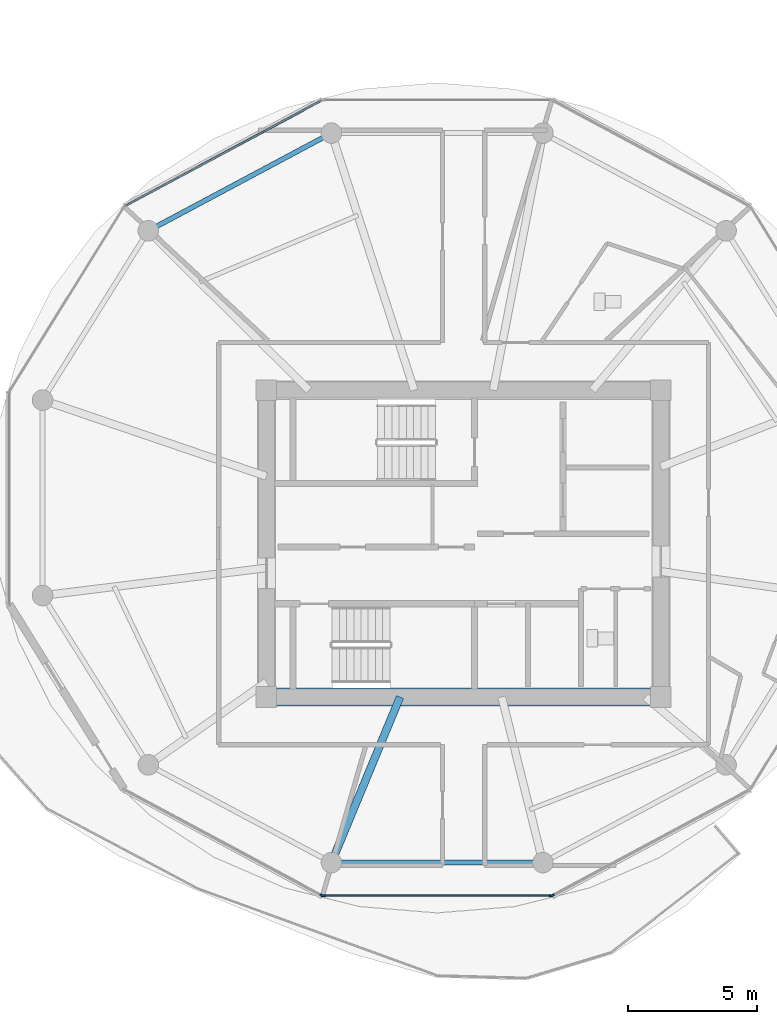
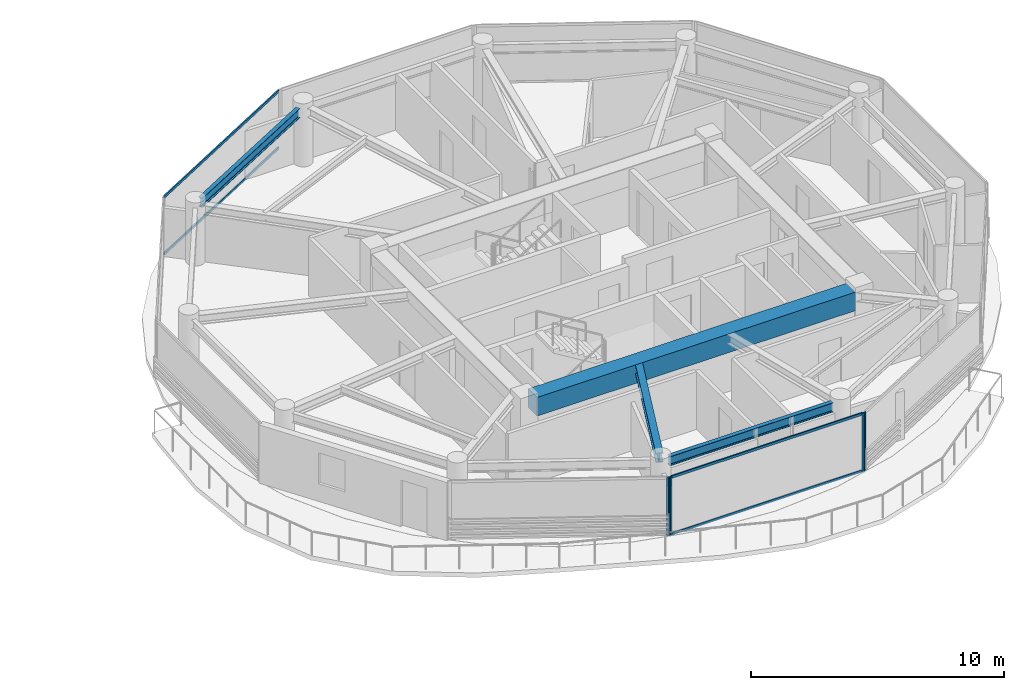
# One storey, part 8 of 21: 8 members, 4 beams, 4 elements without a shape of their own.
"""IFC4 building model written with IfcOpenShell, lengths in metres."""

from ifc_helpers import new_model, si_unit, direction, frame, origin, origin_2d, place, context, subcontext, project, spatial, rectangle, i_section, extrude, source, transform, mapped, material, layer, layer_set, material_profile, profile_set, type_object, type_shapes, element, aggregate, save


model = new_model("IFC4")

# Units and contexts
model_context = context("Model", 3, precision=1e-05, world=origin(), true_north=direction((0.0, 1.0)))
body_context = subcontext(model_context, "Body", "Model", "MODEL_VIEW")
ifc_project = project(units=[si_unit("LENGTHUNIT", "METRE"), si_unit("AREAUNIT", "SQUARE_METRE"), si_unit("VOLUMEUNIT", "CUBIC_METRE"), si_unit("PLANEANGLEUNIT", "RADIAN"), si_unit("MASSUNIT", "GRAM", prefix="KILO")], contexts=[model_context])

# Site, building, storey
site_placement = place(None, origin())
site = spatial("IfcSite", under=ifc_project, at=site_placement, CompositionType="ELEMENT")
building_placement = place(site_placement, origin())
building = spatial("IfcBuilding", under=site, at=building_placement, Name="Norrkilde Senior Care Towers", CompositionType="ELEMENT")
storey_placement = place(building_placement, frame((0.0, 0.0, 146.5)))
storey = spatial("IfcBuildingStorey", under=building, at=storey_placement, Name="L45", CompositionType="ELEMENT", Elevation=146.5)

# Beams
ifc_material_1 = material(Name="Concrete C60/75", Category="concrete")
ifc_material_profile_1 = material_profile(ifc_material_1, rectangle(XDim=0.699951171875, YDim=0.89990234375, at=origin_2d()), Name="RC BM 700x900")
ifc_profile_set_1 = profile_set([ifc_material_profile_1], Name="Concrete C60/75")
beam_type_1 = type_object("IfcBeamType", Name="Core Coupling Girder 700x900", PredefinedType="USERDEFINED", material=ifc_profile_set_1)
shared_shape_1 = source(origin(), body_context, "Body", "SweptSolid", [
    extrude(rectangle(XDim=0.699951171875, YDim=0.89990234375, at=origin_2d()), origin(), (0.0, 0.0, 1.0), 14.5400390625),
])
type_shapes(beam_type_1, [shared_shape_1])
beam_1_placement = place(storey_placement, frame((20.72998046875, -5.949951171875, 2.360107421875), z_axis=(1.0, 0.0, 0.0), x_axis=(0.0, 1.0, 0.0)))
element("IfcBeam", 1, at=beam_1_placement, inside=storey, type_object=beam_type_1, Name="L45 Core E S Coupling Girder", ObjectType="GIRDER", PredefinedType="USERDEFINED", context=body_context, shape_type="MappedRepresentation", body=[
    mapped(shared_shape_1, transform((0.0, 0.0, 0.0), x_axis=(1.0, 0.0, 0.0), y_axis=(0.0, 1.0, 0.0), z_axis=(0.0, 0.0, 1.0), scale=1.0)),
])
ifc_material_2 = material(Name="Steel S355", Category="steel")
ifc_material_profile_2 = material_profile(ifc_material_2, i_section(OverallWidth=0.18994140625, OverallDepth=0.449951171875, WebThickness=0.009521484375, FlangeThickness=0.0146484375, FilletRadius=0.02099609375, at=origin_2d()), Name="IPE 450")
ifc_profile_set_2 = profile_set([ifc_material_profile_2], Name="Steel S355")
beam_type_2 = type_object("IfcBeamType", Name="Perimeter Ring Spandrel Z3 IPE450", PredefinedType="SPANDREL", material=ifc_profile_set_2)
shared_shape_2 = source(origin(), body_context, "Body", "SweptSolid", [
    extrude(i_section(OverallWidth=0.18994140625, OverallDepth=0.449951171875, WebThickness=0.009521484375, FlangeThickness=0.0146484375, FilletRadius=0.02099609375, at=origin_2d()), origin(), (0.0, 0.0, 1.0), 7.333740234375),
])
beam_2_placement = place(storey_placement, frame((22.55517578125, 15.756591796875, 2.5849609375), z_axis=(-0.882247866069, -0.470785198172, 0.0), x_axis=(0.470785198172, -0.882247866069, 0.0)))
element("IfcBeam", 2, at=beam_2_placement, inside=storey, type_object=beam_type_2, Name="L45 Drum E Perimeter Spandrel 04", PredefinedType="SPANDREL", context=body_context, shape_type="MappedRepresentation", body=[
    mapped(shared_shape_2, transform((0.0, 0.0, 0.0), x_axis=(1.0, 0.0, 0.0), y_axis=(0.0, 1.0, 0.0), z_axis=(0.0, 0.0, 1.0), scale=1.0)),
])
shared_shape_3 = source(origin(), body_context, "Body", "SweptSolid", [
    extrude(i_section(OverallWidth=0.18994140625, OverallDepth=0.449951171875, WebThickness=0.009521484375, FlangeThickness=0.0146484375, FilletRadius=0.02099609375, at=origin_2d()), origin(), (0.0, 0.0, 1.0), 7.484619140625),
])
type_shapes(beam_type_2, [shared_shape_2, shared_shape_3])
beam_3_placement = place(storey_placement, frame((23.232666015625, -12.37548828125, 2.5849609375), z_axis=(1.0, 0.0, 0.0), x_axis=(0.0, 1.0, 0.0)))
element("IfcBeam", 3, at=beam_3_placement, inside=storey, type_object=beam_type_2, Name="L45 Drum E Perimeter Spandrel 09", PredefinedType="SPANDREL", context=body_context, shape_type="MappedRepresentation", body=[
    mapped(shared_shape_3, transform((0.0, 0.0, 0.0), x_axis=(1.0, 0.0, 0.0), y_axis=(0.0, 1.0, 0.0), z_axis=(0.0, 0.0, 1.0), scale=1.0)),
])
ifc_material_profile_3 = material_profile(ifc_material_2, i_section(OverallWidth=0.300048828125, OverallDepth=0.449951171875, WebThickness=0.013916015625, FlangeThickness=0.02587890625, FilletRadius=0.027099609375, at=origin_2d()), Name="HEB 450")
ifc_profile_set_3 = profile_set([ifc_material_profile_3], Name="Steel S355")
beam_type_3 = type_object("IfcBeamType", Name="Radial Floor Beam Z3 HEB450", PredefinedType="BEAM", material=ifc_profile_set_3)
shared_shape_4 = source(origin(), body_context, "Body", "SweptSolid", [
    extrude(i_section(OverallWidth=0.300048828125, OverallDepth=0.449951171875, WebThickness=0.013916015625, FlangeThickness=0.02587890625, FilletRadius=0.027099609375, at=origin_2d()), origin(), (0.0, 0.0, 1.0), 6.59521484375),
])
type_shapes(beam_type_3, [shared_shape_4])
beam_4_placement = place(storey_placement, frame((25.534912109375, -5.949951171875, 2.5849609375), z_axis=(-0.382761541363, -0.923847174836, 0.0), x_axis=(0.923847174836, -0.382761541363, 0.0)))
element("IfcBeam", 4, at=beam_4_placement, inside=storey, type_object=beam_type_3, Name="L45 Drum E Radial Floor Beam 09", PredefinedType="BEAM", context=body_context, shape_type="MappedRepresentation", body=[
    mapped(shared_shape_4, transform((0.0, 0.0, 0.0), x_axis=(1.0, 0.0, 0.0), y_axis=(0.0, 1.0, 0.0), z_axis=(0.0, 0.0, 1.0), scale=1.0)),
])

# Curtain wall, member
ifc_material_3 = material(Name="Triple Low-E Insulated Glazing", Category="glass")
ifc_layer = layer(ifc_material_3, 0.18994140625)
ifc_layer_set = layer_set([ifc_layer], Name="Triple Low-E Insulated Glazing")
curtain_wall_type = type_object("IfcCurtainWallType", Name="CW4 Zone 3 Senior Residence Curtain Wall", PredefinedType="NOTDEFINED", material=ifc_layer_set)
curtain_wall_1_placement = place(storey_placement, origin())
curtain_wall_1 = element("IfcCurtainWall", 5, at=curtain_wall_1_placement, inside=storey, type_object=curtain_wall_type, Name="L45 Drum E Curtain Wall 07", PredefinedType="NOTDEFINED")
ifc_material_4 = material(Name="Anodised Aluminium", Category="aluminium")
ifc_material_profile_4 = material_profile(ifc_material_4, rectangle(XDim=0.06494140625, YDim=0.14990234375, at=origin_2d()), Name="ALU MULL 65x150")
ifc_profile_set_4 = profile_set([ifc_material_profile_4], Name="Anodised Aluminium")
member_type_1 = type_object("IfcMemberType", Name="Curtain Wall Mullion Z3-Z4 65x150", PredefinedType="MULLION", material=ifc_profile_set_4)
shared_shape_5 = source(origin(), body_context, "Body", "SweptSolid", [
    extrude(rectangle(XDim=0.06494140625, YDim=0.14990234375, at=origin_2d()), origin(), (0.0, 0.0, 1.0), 2.81005859375),
])
type_shapes(member_type_1, [shared_shape_5])
member_1_placement = place(storey_placement, frame((22.499755859375, -13.644775390625, 0.0), z_axis=(0.0, 0.0, 1.0), x_axis=(-0.47311715104, -0.880999524059, 0.0)))
member_1 = element("IfcMember", 6, at=member_1_placement, type_object=member_type_1, Name="CW-4 mullion 1", PredefinedType="MULLION", context=body_context, shape_type="MappedRepresentation", body=[
    mapped(shared_shape_5, transform((0.0, 0.0, 0.0), x_axis=(1.0, 0.0, 0.0), y_axis=(0.0, 1.0, 0.0), z_axis=(0.0, 0.0, 1.0), scale=1.0)),
])
aggregate(curtain_wall_1, [member_1])

# Curtain wall, members
curtain_wall_2_placement = place(storey_placement, origin())
curtain_wall_2 = element("IfcCurtainWall", 7, at=curtain_wall_2_placement, inside=storey, type_object=curtain_wall_type, Name="L45 Drum E Curtain Wall 08", PredefinedType="NOTDEFINED")
member_2_placement = place(storey_placement, frame((31.388916015625, -13.66015625, 0.0), z_axis=(0.0, 0.0, 1.0), x_axis=(0.0, -1.0, 0.0)))
member_2 = element("IfcMember", 8, at=member_2_placement, type_object=member_type_1, Name="CW-4 mullion 1", PredefinedType="MULLION", context=body_context, shape_type="MappedRepresentation", body=[
    mapped(shared_shape_5, transform((0.0, 0.0, 0.0), x_axis=(1.0, 0.0, 0.0), y_axis=(0.0, 1.0, 0.0), z_axis=(0.0, 0.0, 1.0), scale=1.0)),
])
member_3_placement = place(storey_placement, frame((22.56103515625, -13.66015625, 0.0), z_axis=(0.0, 0.0, 1.0), x_axis=(0.0, -1.0, 0.0)))
member_3 = element("IfcMember", 9, at=member_3_placement, type_object=member_type_1, Name="CW-4 mullion 2", PredefinedType="MULLION", context=body_context, shape_type="MappedRepresentation", body=[
    mapped(shared_shape_5, transform((0.0, 0.0, 0.0), x_axis=(1.0, 0.0, 0.0), y_axis=(0.0, 1.0, 0.0), z_axis=(0.0, 0.0, 1.0), scale=1.0)),
])

# Curtain wall, member
curtain_wall_3_placement = place(storey_placement, origin())
curtain_wall_3 = element("IfcCurtainWall", 10, at=curtain_wall_3_placement, inside=storey, type_object=curtain_wall_type, Name="L45 Drum E Curtain Wall 09", PredefinedType="NOTDEFINED")
member_4_placement = place(storey_placement, frame((31.4501953125, -13.644775390625, 0.0), z_axis=(0.0, 0.0, 1.0), x_axis=(0.47311715104, -0.880999524059, 0.0)))
member_4 = element("IfcMember", 11, at=member_4_placement, type_object=member_type_1, Name="CW-4 mullion 2", PredefinedType="MULLION", context=body_context, shape_type="MappedRepresentation", body=[
    mapped(shared_shape_5, transform((0.0, 0.0, 0.0), x_axis=(1.0, 0.0, 0.0), y_axis=(0.0, 1.0, 0.0), z_axis=(0.0, 0.0, 1.0), scale=1.0)),
])
aggregate(curtain_wall_3, [member_4])

# Curtain wall, members
curtain_wall_4_placement = place(storey_placement, origin())
curtain_wall_4 = element("IfcCurtainWall", 12, at=curtain_wall_4_placement, inside=storey, type_object=curtain_wall_type, Name="L45 Drum E Curtain Wall 03", PredefinedType="NOTDEFINED")
ifc_material_profile_5 = material_profile(ifc_material_4, rectangle(XDim=0.06005859375, YDim=0.1201171875, at=origin_2d()), Name="ALU TRAN 60x120")
ifc_profile_set_5 = profile_set([ifc_material_profile_5], Name="Anodised Aluminium")
member_type_2 = type_object("IfcMemberType", Name="Curtain Wall Transom Typical 60x120", PredefinedType="USERDEFINED", material=ifc_profile_set_5)
shared_shape_6 = source(origin(), body_context, "Body", "SweptSolid", [
    extrude(rectangle(XDim=0.06005859375, YDim=0.1201171875, at=origin_2d()), origin(), (0.0, 0.0, 1.0), 8.61181640625),
])
member_5_placement = place(storey_placement, frame((14.88427734375, 13.105712890625, 0.030029296875), z_axis=(0.880993991641, 0.473127452906, 0.0), x_axis=(-0.473127452906, 0.880993991641, 0.0)))
member_5 = element("IfcMember", 13, at=member_5_placement, type_object=member_type_2, Name="CW-4 transom 1.1", ObjectType="TRANSOM", PredefinedType="USERDEFINED", context=body_context, shape_type="MappedRepresentation", body=[
    mapped(shared_shape_6, transform((0.0, 0.0, 0.0), x_axis=(1.0, 0.0, 0.0), y_axis=(0.0, 1.0, 0.0), z_axis=(0.0, 0.0, 1.0), scale=1.0)),
])
member_6_placement = place(storey_placement, frame((14.88427734375, 13.105712890625, 2.780029296875), z_axis=(0.880993991641, 0.473127452906, 0.0), x_axis=(-0.473127452906, 0.880993991641, 0.0)))
member_6 = element("IfcMember", 14, at=member_6_placement, type_object=member_type_2, Name="CW-4 transom 1.2", ObjectType="TRANSOM", PredefinedType="USERDEFINED", context=body_context, shape_type="MappedRepresentation", body=[
    mapped(shared_shape_6, transform((0.0, 0.0, 0.0), x_axis=(1.0, 0.0, 0.0), y_axis=(0.0, 1.0, 0.0), z_axis=(0.0, 0.0, 1.0), scale=1.0)),
])
aggregate(curtain_wall_4, [member_5, member_6])

# Member
shared_shape_7 = source(origin(), body_context, "Body", "SweptSolid", [
    extrude(rectangle(XDim=0.06005859375, YDim=0.1201171875, at=origin_2d()), origin(), (0.0, 0.0, 1.0), 8.762939453125),
])
type_shapes(member_type_2, [shared_shape_6, shared_shape_7])
member_7_placement = place(storey_placement, frame((31.3564453125, -13.66015625, 0.030029296875), z_axis=(-1.0, 0.0, 0.0), x_axis=(0.0, -1.0, 0.0)))
member_7 = element("IfcMember", 15, at=member_7_placement, type_object=member_type_2, Name="CW-4 transom 1.1", ObjectType="TRANSOM", PredefinedType="USERDEFINED", context=body_context, shape_type="MappedRepresentation", body=[
    mapped(shared_shape_7, transform((0.0, 0.0, 0.0), x_axis=(1.0, 0.0, 0.0), y_axis=(0.0, 1.0, 0.0), z_axis=(0.0, 0.0, 1.0), scale=1.0)),
])

member_8_placement = place(storey_placement, frame((31.3564453125, -13.66015625, 2.780029296875), z_axis=(-1.0, 0.0, 0.0), x_axis=(0.0, -1.0, 0.0)))
member_8 = element("IfcMember", 16, at=member_8_placement, type_object=member_type_2, Name="CW-4 transom 1.2", ObjectType="TRANSOM", PredefinedType="USERDEFINED", context=body_context, shape_type="MappedRepresentation", body=[
    mapped(shared_shape_7, transform((0.0, 0.0, 0.0), x_axis=(1.0, 0.0, 0.0), y_axis=(0.0, 1.0, 0.0), z_axis=(0.0, 0.0, 1.0), scale=1.0)),
])

aggregate(curtain_wall_2, [member_2, member_3, member_7, member_8])

save(model, "model.ifc")
